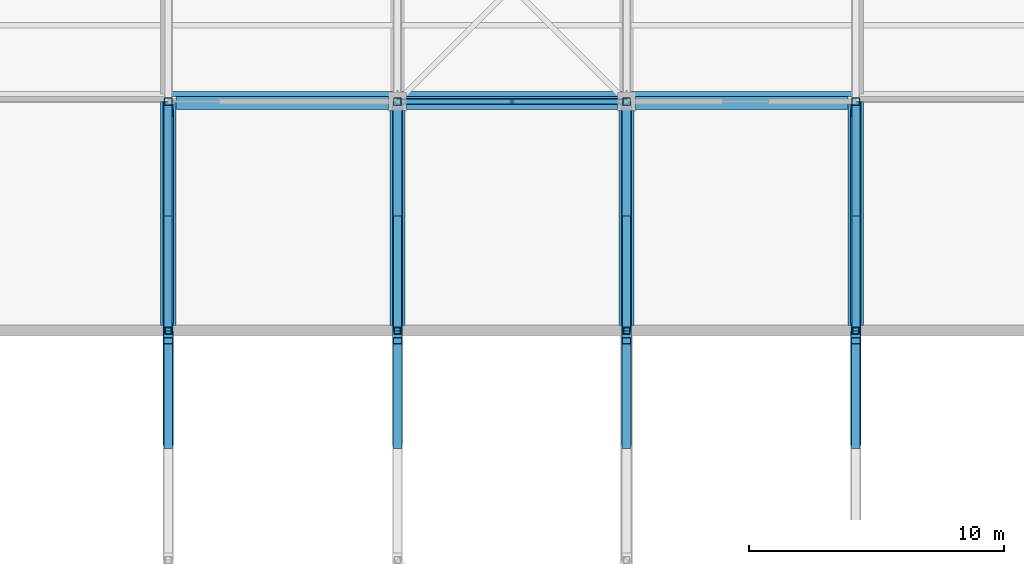
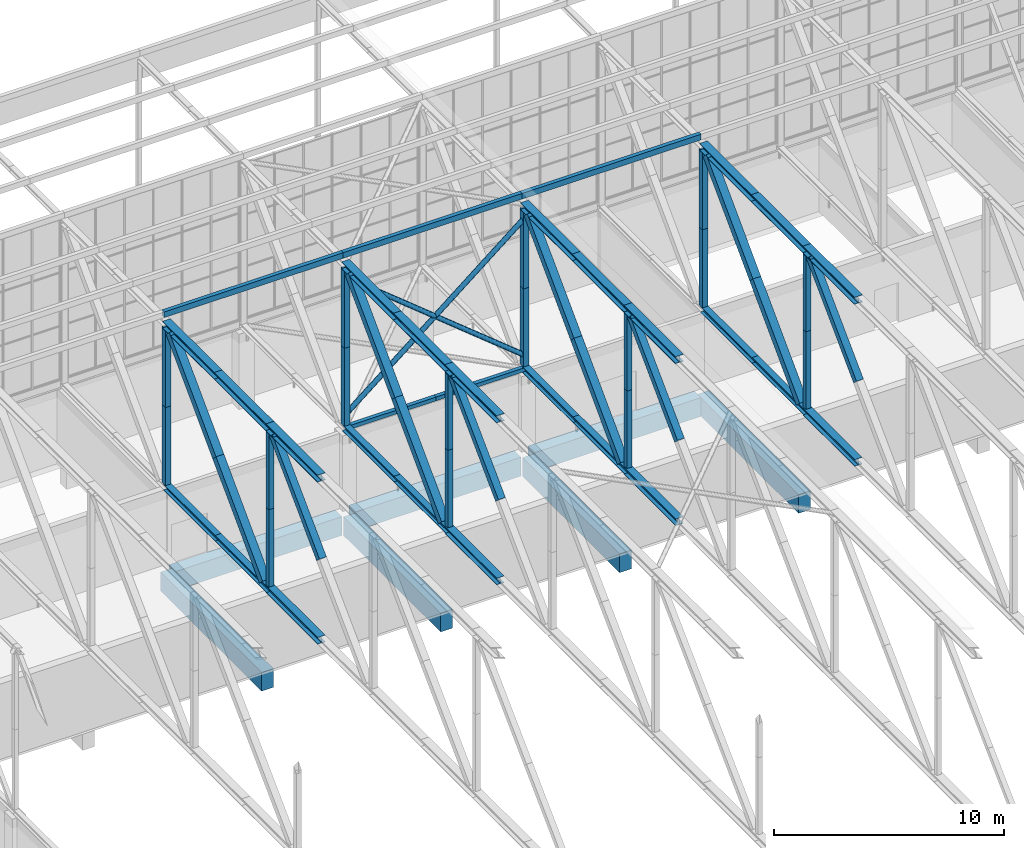
# One storey, part 77 of 646: 61 members, 7 beams.
"""IFC4 building model written with IfcOpenShell, lengths in metres."""

import ifcopenshell
import ifcopenshell.guid

model = None  # the IFC model being written
_history = None  # IfcOwnerHistory: only IFC2X3 demands one
_inside = {}  # id of a spatial element -> (the spatial element, [elements in it])
_under = {}  # id of a project, library or spatial element -> (it, [spatial elements below it])
_declared = {}  # id of a project -> (the project, [libraries it declares])
_typed = {}  # id of a type object -> (the type object, [elements of that type])
_made_of = {}  # id of a material, layer set ... -> (it, [elements and type objects made of it])


def new_model(schema):
    """Start an empty IFC model of exactly this schema.

    Asked for "IFC4X3", IfcOpenShell would pick the latest addendum, in which some entities
    have other attributes; the version numbers below select the first issue.
    IFC2X3 requires an IfcOwnerHistory on every rooted entity: one is made here for all.
    """
    global model, _history
    if schema == "IFC4X3":
        model = ifcopenshell.file(schema_version=(4, 3, 0, 0))
    else:
        model = ifcopenshell.file(schema=schema)
    _inside.clear()
    _under.clear()
    _declared.clear()
    _typed.clear()
    _made_of.clear()
    _history = None
    if model.schema == "IFC2X3":
        org = make("IfcOrganization", Name="unknown")
        user = make(
            "IfcPersonAndOrganization",
            ThePerson=make("IfcPerson", FamilyName="unknown"),
            TheOrganization=org,
        )
        app = make(
            "IfcApplication",
            ApplicationDeveloper=org,
            Version="unknown",
            ApplicationFullName="unknown",
            ApplicationIdentifier="unknown",
        )
        _history = make(
            "IfcOwnerHistory",
            OwningUser=user,
            OwningApplication=app,
            ChangeAction="ADDED",
            CreationDate=0,
        )
    return model


def make(cls, **values):
    """One entity of the class cls with the attributes given. An attribute that is None is left unset."""
    return model.create_entity(
        cls, **{name: value for name, value in values.items() if value is not None}
    )


def rooted(cls, **values):
    """An entity with a GlobalId (a new one), such as an element, a storey or a relation."""
    return make(cls, GlobalId=ifcopenshell.guid.new(), OwnerHistory=_history, **values)


def si_unit(unit_type, name, prefix=None):
    """IfcSIUnit, for example si_unit("LENGTHUNIT", "METRE", prefix="MILLI")."""
    return make("IfcSIUnit", UnitType=unit_type, Prefix=prefix, Name=name)


def assignment(units):
    """IfcUnitAssignment: the units of a project."""
    return None if units is None else make("IfcUnitAssignment", Units=units)


def point(xyz):
    """IfcCartesianPoint."""
    return None if xyz is None else make("IfcCartesianPoint", Coordinates=xyz)


def direction(xyz):
    """IfcDirection."""
    return None if xyz is None else make("IfcDirection", DirectionRatios=xyz)


def frame(location, z_axis=None, x_axis=None):
    """IfcAxis2Placement3D, a coordinate frame: its origin and axes. An axis left out is left unset."""
    return make(
        "IfcAxis2Placement3D",
        Location=point(location),
        Axis=direction(z_axis),
        RefDirection=direction(x_axis),
    )


def frame_2d(location, x_axis=None):
    """IfcAxis2Placement2D, a coordinate frame in the plane: its origin and x axis."""
    return make(
        "IfcAxis2Placement2D", Location=point(location), RefDirection=direction(x_axis)
    )


def origin():
    """The frame at (0, 0, 0) with its axes left unset."""
    return frame((0.0, 0.0, 0.0))


def origin_2d():
    """The frame at (0, 0) in the plane with its x axis left unset."""
    return frame_2d((0.0, 0.0))


def place(relative_to, where):
    """IfcLocalPlacement: puts the frame where relative to a parent placement (None: the world)."""
    return make(
        "IfcLocalPlacement", PlacementRelTo=relative_to, RelativePlacement=where
    )


def context(
    kind, dimensions, precision=None, world=None, true_north=None, identifier=None
):
    """IfcGeometricRepresentationContext, for example the 3D "Model" context."""
    return make(
        "IfcGeometricRepresentationContext",
        ContextIdentifier=identifier,
        ContextType=kind,
        CoordinateSpaceDimension=dimensions,
        Precision=precision,
        WorldCoordinateSystem=world,
        TrueNorth=true_north,
    )


def subcontext(parent, identifier, kind, view, scale=None):
    """IfcGeometricRepresentationSubContext, for example "Body" below "Model"."""
    return make(
        "IfcGeometricRepresentationSubContext",
        ContextIdentifier=identifier,
        ContextType=kind,
        ParentContext=parent,
        TargetScale=scale,
        TargetView=view,
    )


def project(units=None, contexts=None):
    """IfcProject with its units and contexts."""
    return rooted(
        "IfcProject",
        Name="project",
        RepresentationContexts=contexts,
        UnitsInContext=assignment(units),
    )


def spatial(cls, under=None, at=None, **own):
    """A site, building, storey or space (cls), placed at a placement, below another one or the project."""
    s = rooted(cls, ObjectPlacement=at, **own)
    if under is not None:
        _under.setdefault(under.id(), (under, []))[1].append(s)
    return s


def profile(cls, at=None, kind="AREA", **sizes):
    """A parametric profile (cls). Its sizes go by their IFC names, for example OverallWidth=200.0."""
    return make(cls, ProfileType=kind, Position=at, **sizes)


def rectangle(**sizes):
    """IfcRectangleProfileDef."""
    return profile("IfcRectangleProfileDef", **sizes)


def hollow_rectangle(**sizes):
    """IfcRectangleHollowProfileDef."""
    return profile("IfcRectangleHollowProfileDef", **sizes)


def hollow_circle(**sizes):
    """IfcCircleHollowProfileDef."""
    return profile("IfcCircleHollowProfileDef", **sizes)


def i_section(**sizes):
    """IfcIShapeProfileDef."""
    return profile("IfcIShapeProfileDef", **sizes)


def extrude(swept, where, along, depth):
    """IfcExtrudedAreaSolid: the profile swept, set in the frame where, extruded along a direction by depth."""
    return make(
        "IfcExtrudedAreaSolid",
        SweptArea=swept,
        Position=where,
        ExtrudedDirection=direction(along),
        Depth=depth,
    )


def shape(context_of_items, identifier, shape_type, items):
    """IfcShapeRepresentation: the items that make up one representation, for example the "Body"."""
    return make(
        "IfcShapeRepresentation",
        ContextOfItems=context_of_items,
        RepresentationIdentifier=identifier,
        RepresentationType=shape_type,
        Items=items,
    )


def material(Name=None, Category=None):
    """IfcMaterial."""
    return make("IfcMaterial", Name=Name, Category=Category)


def material_profile(
    of_material, cross_section, Name=None, Category=None, Priority=None
):
    """IfcMaterialProfile: a cross section and its material."""
    return make(
        "IfcMaterialProfile",
        Name=Name,
        Material=of_material,
        Profile=cross_section,
        Priority=Priority,
        Category=Category,
    )


def profile_set(profiles, Name=None, composite=None):
    """IfcMaterialProfileSet."""
    return make(
        "IfcMaterialProfileSet",
        Name=Name,
        MaterialProfiles=profiles,
        CompositeProfile=composite,
    )


def made_of(thing, what):
    """Note that an element or type object is made of a material, layer set ...; save() writes the relation."""
    if what is not None:
        _made_of.setdefault(what.id(), (what, []))[1].append(thing)
    return thing


def type_object(cls, material=None, **own):
    """A type object (cls), such as IfcWallType, which elements share."""
    return made_of(rooted(cls, **own), material)


def element(
    cls,
    number,
    at=None,
    inside=None,
    cuts=None,
    type_object=None,
    material=None,
    context=None,
    identifier="Body",
    shape_type=None,
    held_by="IfcProductDefinitionShape",
    body=None,
    shapes=None,
    **own,
):
    """One element of the class cls, such as IfcWall. Its Tag is "e" and its number.

    at: its placement. inside: the storey or other place that contains it. cuts: it is an
    opening in that element (IfcRelVoidsElement). A single representation is given by context,
    identifier, shape_type and body (its items); several are given by shapes. held_by: the class
    of the entity that holds the representations. save() writes the other relations.
    """
    e = rooted(cls, Tag="e%d" % number, ObjectPlacement=at, **own)
    if body is not None:
        shapes = [shape(context, identifier, shape_type, body)]
    if shapes is not None:
        e.Representation = make(held_by, Representations=shapes)
    if inside is not None:
        _inside.setdefault(inside.id(), (inside, []))[1].append(e)
    if cuts is not None:
        rooted(
            "IfcRelVoidsElement", RelatingBuildingElement=cuts, RelatedOpeningElement=e
        )
    if type_object is not None:
        _typed.setdefault(type_object.id(), (type_object, []))[1].append(e)
    return made_of(e, material)


def aggregate(whole, parts):
    """IfcRelAggregates: a whole, such as a stair, and the parts it consists of."""
    return rooted("IfcRelAggregates", RelatingObject=whole, RelatedObjects=parts)


def save(model, path):
    """Write the relations noted so far, then the file.

    IfcRelAggregates (storeys below a building ...), IfcRelContainedInSpatialStructure (elements
    in a storey), IfcRelDefinesByType, IfcRelAssociatesMaterial and IfcRelDeclares: one each for
    every whole, place, type object, material and project.
    """
    for whole, parts in _under.values():
        aggregate(whole, parts)
    for where, things in _inside.values():
        rooted(
            "IfcRelContainedInSpatialStructure",
            RelatedElements=things,
            RelatingStructure=where,
        )
    for kind, things in _typed.values():
        rooted("IfcRelDefinesByType", RelatedObjects=things, RelatingType=kind)
    for what, things in _made_of.values():
        rooted("IfcRelAssociatesMaterial", RelatedObjects=things, RelatingMaterial=what)
    for by, libraries in _declared.values():
        rooted("IfcRelDeclares", RelatingContext=by, RelatedDefinitions=libraries)
    model.write(path)


model = new_model("IFC4")

# Units and contexts
model_context = context("Model", 3, precision=1e-05, world=origin(), true_north=direction((0.0, 1.0)))
body_context = subcontext(model_context, "Body", "Model", "MODEL_VIEW")
ifc_project = project(units=[si_unit("LENGTHUNIT", "METRE"), si_unit("AREAUNIT", "SQUARE_METRE"), si_unit("VOLUMEUNIT", "CUBIC_METRE"), si_unit("PLANEANGLEUNIT", "RADIAN"), si_unit("MASSUNIT", "GRAM", prefix="KILO")], contexts=[model_context])

# Site, building, storey
site_placement = place(None, origin())
site = spatial("IfcSite", under=ifc_project, at=site_placement, CompositionType="ELEMENT")
building_placement = place(site_placement, origin())
building = spatial("IfcBuilding", under=site, at=building_placement, Name="Silverbay Arena", CompositionType="ELEMENT")
storey_placement = place(building_placement, frame((0.0, 0.0, 33.5)))
storey = spatial("IfcBuildingStorey", under=building, at=storey_placement, Name="L05", CompositionType="ELEMENT", Elevation=33.5)

# Members
ifc_material_1 = material(Name="Steel S355", Category="steel")
ifc_material_profile_1 = material_profile(ifc_material_1, hollow_rectangle(XDim=0.199951171875, YDim=0.199951171875, WallThickness=0.008056640625, at=origin_2d()), Name="SHS 200x200x8")
ifc_profile_set_1 = profile_set([ifc_material_profile_1], Name="Steel S355")
member_type_1 = type_object("IfcMemberType", Name="Bracing strut SHS 200x200x8", PredefinedType="STRUT", material=ifc_profile_set_1)
for number, where, z_axis, x_axis, name in (
    (1, (126.0, 135.0, 4.13330078125), (1.0, 0.0, 0.0), (0.0, 1.0, 0.0), "ROOF BRACING strut 15-16 line 15a"),
    (2, (130.5, 135.0, 4.13330078125), (1.0, 0.0, 0.0), (0.0, 1.0, 0.0), "ROOF BRACING strut 15-16 line 15b"),
):
    element("IfcMember", number, at=place(storey_placement, frame(where, z_axis=z_axis, x_axis=x_axis)), inside=storey, type_object=member_type_1, Name=name, PredefinedType="STRUT", context=body_context, shape_type="SweptSolid", body=[
        extrude(hollow_rectangle(XDim=0.199951171875, YDim=0.199951171875, WallThickness=0.008056640625, at=origin_2d()), origin(), (0.0, 0.0, 1.0), 4.5),
    ])
ifc_material_2 = material(Name="Steel S355", Category="steel")
ifc_material_profile_2 = material_profile(ifc_material_2, i_section(OverallWidth=0.311279296875, OverallDepth=0.3271484375, WebThickness=0.015869140625, FlangeThickness=0.02490234375, at=origin_2d()), Name="UC 305x305x158")
ifc_profile_set_2 = profile_set([ifc_material_profile_2], Name="Steel S355")
member_type_2 = type_object("IfcMemberType", Name="Main-span bottom chord UC 305x305x158", PredefinedType="CHORD", material=ifc_profile_set_2)
for number, where, z_axis, x_axis, name in (
    (3, (117.0, 126.0, 4.16357421875), (0.0, 1.0, 0.0), (-1.0, 0.0, 0.0), "ROOF TRUSS 14 bottom chord 14a"),
    (4, (117.0, 130.5, 4.16357421875), (0.0, 1.0, 0.0), (-1.0, 0.0, 0.0), "ROOF TRUSS 14 bottom chord 14b"),
    (5, (126.0, 126.0, 4.16357421875), (0.0, 1.0, 0.0), (-1.0, 0.0, 0.0), "ROOF TRUSS 15 bottom chord 14a"),
    (6, (126.0, 130.5, 4.16357421875), (0.0, 1.0, 0.0), (-1.0, 0.0, 0.0), "ROOF TRUSS 15 bottom chord 14b"),
    (7, (135.0, 126.0, 4.16357421875), (0.0, 1.0, 0.0), (-1.0, 0.0, 0.0), "ROOF TRUSS 16 bottom chord 14a"),
    (8, (135.0, 130.5, 4.16357421875), (0.0, 1.0, 0.0), (-1.0, 0.0, 0.0), "ROOF TRUSS 16 bottom chord 14b"),
    (9, (144.0, 126.0, 4.16357421875), (0.0, 1.0, 0.0), (-1.0, 0.0, 0.0), "ROOF TRUSS 17 bottom chord 14a"),
    (10, (144.0, 130.5, 4.16357421875), (0.0, 1.0, 0.0), (-1.0, 0.0, 0.0), "ROOF TRUSS 17 bottom chord 14b"),
):
    element("IfcMember", number, at=place(storey_placement, frame(where, z_axis=z_axis, x_axis=x_axis)), inside=storey, type_object=member_type_2, Name=name, PredefinedType="CHORD", context=body_context, shape_type="SweptSolid", body=[
        extrude(i_section(OverallWidth=0.311279296875, OverallDepth=0.3271484375, WebThickness=0.015869140625, FlangeThickness=0.02490234375, at=origin_2d()), origin(), (0.0, 0.0, 1.0), 4.5),
    ])
ifc_material_3 = material(Name="Steel S355", Category="steel")
ifc_material_profile_3 = material_profile(ifc_material_3, i_section(OverallWidth=0.37255859375, OverallDepth=0.3681640625, WebThickness=0.014404296875, FlangeThickness=0.023681640625, at=origin_2d()), Name="UC 356x368x177")
ifc_profile_set_3 = profile_set([ifc_material_profile_3], Name="Steel S355")
member_type_3 = type_object("IfcMemberType", Name="Main-span bottom chord UC 356x368x177", PredefinedType="CHORD", material=ifc_profile_set_3)
for number, where, z_axis, x_axis, name in (
    (11, (117.0, 121.5, 4.18408203125), (0.0, 1.0, 0.0), (-1.0, 0.0, 0.0), "ROOF TRUSS 14 bottom chord 13b"),
    (12, (126.0, 121.5, 4.18408203125), (0.0, 1.0, 0.0), (-1.0, 0.0, 0.0), "ROOF TRUSS 15 bottom chord 13b"),
    (13, (135.0, 121.5, 4.18408203125), (0.0, 1.0, 0.0), (-1.0, 0.0, 0.0), "ROOF TRUSS 16 bottom chord 13b"),
    (14, (144.0, 121.5, 4.18408203125), (0.0, 1.0, 0.0), (-1.0, 0.0, 0.0), "ROOF TRUSS 17 bottom chord 13b"),
):
    element("IfcMember", number, at=place(storey_placement, frame(where, z_axis=z_axis, x_axis=x_axis)), inside=storey, type_object=member_type_3, Name=name, PredefinedType="CHORD", context=body_context, shape_type="SweptSolid", body=[
        extrude(i_section(OverallWidth=0.37255859375, OverallDepth=0.3681640625, WebThickness=0.014404296875, FlangeThickness=0.023681640625, at=origin_2d()), origin(), (0.0, 0.0, 1.0), 4.5),
    ])
ifc_material_4 = material(Name="Steel S355", Category="steel")
ifc_material_profile_4 = material_profile(ifc_material_4, i_section(OverallWidth=0.394775390625, OverallDepth=0.381103515625, WebThickness=0.018310546875, FlangeThickness=0.0302734375, at=origin_2d()), Name="UC 356x406x235")
ifc_profile_set_4 = profile_set([ifc_material_profile_4], Name="Steel S355")
member_type_4 = type_object("IfcMemberType", Name="Main-span top chord UC 356x406x235", PredefinedType="CHORD", material=ifc_profile_set_4)
for number, where, z_axis, x_axis, name in (
    (15, (117.0, 126.0, 12.8095703125), (0.0, 1.0, 0.0), (-1.0, 0.0, 0.0), "ROOF TRUSS 14 top chord 14a"),
    (16, (117.0, 130.5, 12.8095703125), (0.0, 1.0, 0.0), (-1.0, 0.0, 0.0), "ROOF TRUSS 14 top chord 14b"),
    (17, (126.0, 126.0, 12.8095703125), (0.0, 1.0, 0.0), (-1.0, 0.0, 0.0), "ROOF TRUSS 15 top chord 14a"),
    (18, (126.0, 130.5, 12.8095703125), (0.0, 1.0, 0.0), (-1.0, 0.0, 0.0), "ROOF TRUSS 15 top chord 14b"),
    (19, (135.0, 126.0, 12.8095703125), (0.0, 1.0, 0.0), (-1.0, 0.0, 0.0), "ROOF TRUSS 16 top chord 14a"),
    (20, (135.0, 130.5, 12.8095703125), (0.0, 1.0, 0.0), (-1.0, 0.0, 0.0), "ROOF TRUSS 16 top chord 14b"),
    (21, (144.0, 126.0, 12.8095703125), (0.0, 1.0, 0.0), (-1.0, 0.0, 0.0), "ROOF TRUSS 17 top chord 14a"),
    (22, (144.0, 130.5, 12.8095703125), (0.0, 1.0, 0.0), (-1.0, 0.0, 0.0), "ROOF TRUSS 17 top chord 14b"),
):
    element("IfcMember", number, at=place(storey_placement, frame(where, z_axis=z_axis, x_axis=x_axis)), inside=storey, type_object=member_type_4, Name=name, PredefinedType="CHORD", context=body_context, shape_type="SweptSolid", body=[
        extrude(i_section(OverallWidth=0.394775390625, OverallDepth=0.381103515625, WebThickness=0.018310546875, FlangeThickness=0.0302734375, at=origin_2d()), origin(), (0.0, 0.0, 1.0), 4.5),
    ])
ifc_material_5 = material(Name="Steel S355", Category="steel")
ifc_material_profile_5 = material_profile(ifc_material_5, i_section(OverallWidth=0.39892578125, OverallDepth=0.3935546875, WebThickness=0.022705078125, FlangeThickness=0.03662109375, at=origin_2d()), Name="UC 356x406x287")
ifc_profile_set_5 = profile_set([ifc_material_profile_5], Name="Steel S355")
member_type_5 = type_object("IfcMemberType", Name="Main-span top chord UC 356x406x287", PredefinedType="CHORD", material=ifc_profile_set_5)
for number, where, z_axis, x_axis, name in (
    (23, (117.0, 121.5, 12.80322265625), (0.0, 1.0, 0.0), (-1.0, 0.0, 0.0), "ROOF TRUSS 14 top chord 13b"),
    (24, (126.0, 121.5, 12.80322265625), (0.0, 1.0, 0.0), (-1.0, 0.0, 0.0), "ROOF TRUSS 15 top chord 13b"),
    (25, (135.0, 121.5, 12.80322265625), (0.0, 1.0, 0.0), (-1.0, 0.0, 0.0), "ROOF TRUSS 16 top chord 13b"),
    (26, (144.0, 121.5, 12.80322265625), (0.0, 1.0, 0.0), (-1.0, 0.0, 0.0), "ROOF TRUSS 17 top chord 13b"),
):
    element("IfcMember", number, at=place(storey_placement, frame(where, z_axis=z_axis, x_axis=x_axis)), inside=storey, type_object=member_type_5, Name=name, PredefinedType="CHORD", context=body_context, shape_type="SweptSolid", body=[
        extrude(i_section(OverallWidth=0.39892578125, OverallDepth=0.3935546875, WebThickness=0.022705078125, FlangeThickness=0.03662109375, at=origin_2d()), origin(), (0.0, 0.0, 1.0), 4.5),
    ])
ifc_material_6 = material(Name="Steel S355", Category="steel")
ifc_material_profile_6 = material_profile(ifc_material_6, hollow_rectangle(XDim=0.35009765625, YDim=0.35009765625, WallThickness=0.01416015625, at=origin_2d()), Name="SHS 350x350x14.2")
ifc_profile_set_6 = profile_set([ifc_material_profile_6], Name="Steel S355")
member_type_6 = type_object("IfcMemberType", Name="Main-span truss diagonal SHS 350x350x14.2", PredefinedType="BRACE", material=ifc_profile_set_6)
for number, where, z_axis, x_axis, name in (
    (27, (117.0, 125.61083984375, 12.6064453125), (0.0, -0.706393232016, -0.707819611033), (1.0, 0.0, 0.0), "ROOF TRUSS 14 diagonal 13a"),
    (28, (126.0, 125.61083984375, 12.6064453125), (0.0, -0.706393232016, -0.707819611033), (1.0, 0.0, 0.0), "ROOF TRUSS 15 diagonal 13a"),
    (29, (135.0, 125.61083984375, 12.6064453125), (0.0, -0.706393232016, -0.707819611033), (1.0, 0.0, 0.0), "ROOF TRUSS 16 diagonal 13a"),
    (30, (144.0, 125.61083984375, 12.6064453125), (0.0, -0.706393232016, -0.707819611033), (1.0, 0.0, 0.0), "ROOF TRUSS 17 diagonal 13a"),
):
    element("IfcMember", number, at=place(storey_placement, frame(where, z_axis=z_axis, x_axis=x_axis)), inside=storey, type_object=member_type_6, Name=name, PredefinedType="BRACE", context=body_context, shape_type="SweptSolid", body=[
        extrude(hollow_rectangle(XDim=0.35009765625, YDim=0.35009765625, WallThickness=0.01416015625, at=origin_2d()), origin(), (0.0, 0.0, 1.0), 5.819580078125),
    ])
ifc_material_7 = material(Name="Steel S355", Category="steel")
ifc_material_profile_7 = material_profile(ifc_material_7, hollow_rectangle(XDim=0.39990234375, YDim=0.39990234375, WallThickness=0.01416015625, at=origin_2d()), Name="SHS 400x400x14.2")
ifc_profile_set_7 = profile_set([ifc_material_profile_7], Name="Steel S355")
member_type_7 = type_object("IfcMemberType", Name="Main-span truss diagonal SHS 400x400x14.2", PredefinedType="BRACE", material=ifc_profile_set_7)
member_1_placement = place(storey_placement, frame((117.0, 134.554931640625, 12.618896484375), z_axis=(0.0, -0.700113450325, -0.71403162162), x_axis=(1.0, 0.0, 0.0)))
element("IfcMember", 31, at=member_1_placement, inside=storey, type_object=member_type_7, Name="ROOF TRUSS 14 diagonal 14a", PredefinedType="BRACE", context=body_context, shape_type="SweptSolid", body=[
    extrude(hollow_rectangle(XDim=0.39990234375, YDim=0.39990234375, WallThickness=0.01416015625, at=origin_2d()), origin(), (0.0, 0.0, 1.0), 5.80615234375),
])
member_2_placement = place(storey_placement, frame((117.0, 130.489990234375, 8.47314453125), z_axis=(0.0, -0.700092430298, -0.714052231311), x_axis=(1.0, 0.0, 0.0)))
element("IfcMember", 32, at=member_2_placement, inside=storey, type_object=member_type_7, Name="ROOF TRUSS 14 diagonal 14b", PredefinedType="BRACE", context=body_context, shape_type="SweptSolid", body=[
    extrude(hollow_rectangle(XDim=0.39990234375, YDim=0.39990234375, WallThickness=0.01416015625, at=origin_2d()), origin(), (0.0, 0.0, 1.0), 5.806396484375),
])
member_3_placement = place(storey_placement, frame((126.0, 134.554931640625, 12.618896484375), z_axis=(0.0, -0.700113450325, -0.71403162162), x_axis=(1.0, 0.0, 0.0)))
element("IfcMember", 33, at=member_3_placement, inside=storey, type_object=member_type_7, Name="ROOF TRUSS 15 diagonal 14a", PredefinedType="BRACE", context=body_context, shape_type="SweptSolid", body=[
    extrude(hollow_rectangle(XDim=0.39990234375, YDim=0.39990234375, WallThickness=0.01416015625, at=origin_2d()), origin(), (0.0, 0.0, 1.0), 5.80615234375),
])
member_4_placement = place(storey_placement, frame((126.0, 130.489990234375, 8.47314453125), z_axis=(0.0, -0.700092430298, -0.714052231311), x_axis=(1.0, 0.0, 0.0)))
element("IfcMember", 34, at=member_4_placement, inside=storey, type_object=member_type_7, Name="ROOF TRUSS 15 diagonal 14b", PredefinedType="BRACE", context=body_context, shape_type="SweptSolid", body=[
    extrude(hollow_rectangle(XDim=0.39990234375, YDim=0.39990234375, WallThickness=0.01416015625, at=origin_2d()), origin(), (0.0, 0.0, 1.0), 5.806396484375),
])
member_5_placement = place(storey_placement, frame((135.0, 134.554931640625, 12.618896484375), z_axis=(0.0, -0.700113450325, -0.71403162162), x_axis=(1.0, 0.0, 0.0)))
element("IfcMember", 35, at=member_5_placement, inside=storey, type_object=member_type_7, Name="ROOF TRUSS 16 diagonal 14a", PredefinedType="BRACE", context=body_context, shape_type="SweptSolid", body=[
    extrude(hollow_rectangle(XDim=0.39990234375, YDim=0.39990234375, WallThickness=0.01416015625, at=origin_2d()), origin(), (0.0, 0.0, 1.0), 5.80615234375),
])
member_6_placement = place(storey_placement, frame((135.0, 130.489990234375, 8.47314453125), z_axis=(0.0, -0.700092430298, -0.714052231311), x_axis=(1.0, 0.0, 0.0)))
element("IfcMember", 36, at=member_6_placement, inside=storey, type_object=member_type_7, Name="ROOF TRUSS 16 diagonal 14b", PredefinedType="BRACE", context=body_context, shape_type="SweptSolid", body=[
    extrude(hollow_rectangle(XDim=0.39990234375, YDim=0.39990234375, WallThickness=0.01416015625, at=origin_2d()), origin(), (0.0, 0.0, 1.0), 5.806396484375),
])
member_7_placement = place(storey_placement, frame((144.0, 134.554931640625, 12.618896484375), z_axis=(0.0, -0.700113450325, -0.71403162162), x_axis=(1.0, 0.0, 0.0)))
element("IfcMember", 37, at=member_7_placement, inside=storey, type_object=member_type_7, Name="ROOF TRUSS 17 diagonal 14a", PredefinedType="BRACE", context=body_context, shape_type="SweptSolid", body=[
    extrude(hollow_rectangle(XDim=0.39990234375, YDim=0.39990234375, WallThickness=0.01416015625, at=origin_2d()), origin(), (0.0, 0.0, 1.0), 5.80615234375),
])
member_8_placement = place(storey_placement, frame((144.0, 130.489990234375, 8.47314453125), z_axis=(0.0, -0.700092430298, -0.714052231311), x_axis=(1.0, 0.0, 0.0)))
element("IfcMember", 38, at=member_8_placement, inside=storey, type_object=member_type_7, Name="ROOF TRUSS 17 diagonal 14b", PredefinedType="BRACE", context=body_context, shape_type="SweptSolid", body=[
    extrude(hollow_rectangle(XDim=0.39990234375, YDim=0.39990234375, WallThickness=0.01416015625, at=origin_2d()), origin(), (0.0, 0.0, 1.0), 5.806396484375),
])
ifc_material_8 = material(Name="Steel S355", Category="steel")
ifc_material_profile_8 = material_profile(ifc_material_8, hollow_rectangle(XDim=0.260009765625, YDim=0.260009765625, WallThickness=0.012451171875, at=origin_2d()), Name="SHS 260x260x12.5")
ifc_profile_set_8 = profile_set([ifc_material_profile_8], Name="Steel S355")
member_type_8 = type_object("IfcMemberType", Name="Main-span truss vertical SHS 260x260x12.5", PredefinedType="STRUT", material=ifc_profile_set_8)
for number, where, z_axis, x_axis, name in (
    (39, (117.0, 126.0, 4.3681640625), (0.0, 0.0, 1.0), (1.0, 0.0, 0.0), "ROOF TRUSS 14 vertical 14a"),
    (40, (117.0, 126.0, 8.4873046875), (0.0, 0.0, 1.0), (1.0, 0.0, 0.0), "ROOF TRUSS 14 vertical 14b"),
    (41, (126.0, 126.0, 4.3681640625), (0.0, 0.0, 1.0), (1.0, 0.0, 0.0), "ROOF TRUSS 15 vertical 14a"),
    (42, (126.0, 126.0, 8.4873046875), (0.0, 0.0, 1.0), (1.0, 0.0, 0.0), "ROOF TRUSS 15 vertical 14b"),
    (43, (135.0, 126.0, 4.3681640625), (0.0, 0.0, 1.0), (1.0, 0.0, 0.0), "ROOF TRUSS 16 vertical 14a"),
    (44, (135.0, 126.0, 8.4873046875), (0.0, 0.0, 1.0), (1.0, 0.0, 0.0), "ROOF TRUSS 16 vertical 14b"),
    (45, (144.0, 126.0, 4.3681640625), (0.0, 0.0, 1.0), (1.0, 0.0, 0.0), "ROOF TRUSS 17 vertical 14a"),
    (46, (144.0, 126.0, 8.4873046875), (0.0, 0.0, 1.0), (1.0, 0.0, 0.0), "ROOF TRUSS 17 vertical 14b"),
):
    element("IfcMember", number, at=place(storey_placement, frame(where, z_axis=z_axis, x_axis=x_axis)), inside=storey, type_object=member_type_8, Name=name, PredefinedType="STRUT", context=body_context, shape_type="SweptSolid", body=[
        extrude(hollow_rectangle(XDim=0.260009765625, YDim=0.260009765625, WallThickness=0.012451171875, at=origin_2d()), origin(), (0.0, 0.0, 1.0), 4.119140625),
    ])
ifc_material_9 = material(Name="Steel S355", Category="steel")
ifc_material_profile_9 = material_profile(ifc_material_9, hollow_rectangle(XDim=0.300048828125, YDim=0.300048828125, WallThickness=0.012451171875, at=origin_2d()), Name="SHS 300x300x12.5")
ifc_profile_set_9 = profile_set([ifc_material_profile_9], Name="Steel S355")
member_type_9 = type_object("IfcMemberType", Name="Main-span truss vertical SHS 300x300x12.5", PredefinedType="STRUT", material=ifc_profile_set_9)
member_9_placement = place(storey_placement, frame((117.0, 135.0, 4.3271484375), z_axis=(0.0, 0.0, 1.0), x_axis=(1.0, 0.0, 0.0)))
element("IfcMember", 47, at=member_9_placement, inside=storey, type_object=member_type_9, Name="ROOF TRUSS 14 vertical 15a", PredefinedType="STRUT", context=body_context, shape_type="SweptSolid", body=[
    extrude(hollow_rectangle(XDim=0.300048828125, YDim=0.300048828125, WallThickness=0.012451171875, at=origin_2d()), origin(), (0.0, 0.0, 1.0), 4.14599609375),
])
member_10_placement = place(storey_placement, frame((117.0, 135.0, 8.47314453125), z_axis=(0.0, 0.0, 1.0), x_axis=(1.0, 0.0, 0.0)))
element("IfcMember", 48, at=member_10_placement, inside=storey, type_object=member_type_9, Name="ROOF TRUSS 14 vertical 15b", PredefinedType="STRUT", context=body_context, shape_type="SweptSolid", body=[
    extrude(hollow_rectangle(XDim=0.300048828125, YDim=0.300048828125, WallThickness=0.012451171875, at=origin_2d()), origin(), (0.0, 0.0, 1.0), 4.145751953125),
])
member_11_placement = place(storey_placement, frame((126.0, 135.0, 4.3271484375), z_axis=(0.0, 0.0, 1.0), x_axis=(1.0, 0.0, 0.0)))
element("IfcMember", 49, at=member_11_placement, inside=storey, type_object=member_type_9, Name="ROOF TRUSS 15 vertical 15a", PredefinedType="STRUT", context=body_context, shape_type="SweptSolid", body=[
    extrude(hollow_rectangle(XDim=0.300048828125, YDim=0.300048828125, WallThickness=0.012451171875, at=origin_2d()), origin(), (0.0, 0.0, 1.0), 4.14599609375),
])
member_12_placement = place(storey_placement, frame((126.0, 135.0, 8.47314453125), z_axis=(0.0, 0.0, 1.0), x_axis=(1.0, 0.0, 0.0)))
element("IfcMember", 50, at=member_12_placement, inside=storey, type_object=member_type_9, Name="ROOF TRUSS 15 vertical 15b", PredefinedType="STRUT", context=body_context, shape_type="SweptSolid", body=[
    extrude(hollow_rectangle(XDim=0.300048828125, YDim=0.300048828125, WallThickness=0.012451171875, at=origin_2d()), origin(), (0.0, 0.0, 1.0), 4.145751953125),
])
member_13_placement = place(storey_placement, frame((135.0, 135.0, 4.3271484375), z_axis=(0.0, 0.0, 1.0), x_axis=(1.0, 0.0, 0.0)))
element("IfcMember", 51, at=member_13_placement, inside=storey, type_object=member_type_9, Name="ROOF TRUSS 16 vertical 15a", PredefinedType="STRUT", context=body_context, shape_type="SweptSolid", body=[
    extrude(hollow_rectangle(XDim=0.300048828125, YDim=0.300048828125, WallThickness=0.012451171875, at=origin_2d()), origin(), (0.0, 0.0, 1.0), 4.14599609375),
])
member_14_placement = place(storey_placement, frame((135.0, 135.0, 8.47314453125), z_axis=(0.0, 0.0, 1.0), x_axis=(1.0, 0.0, 0.0)))
element("IfcMember", 52, at=member_14_placement, inside=storey, type_object=member_type_9, Name="ROOF TRUSS 16 vertical 15b", PredefinedType="STRUT", context=body_context, shape_type="SweptSolid", body=[
    extrude(hollow_rectangle(XDim=0.300048828125, YDim=0.300048828125, WallThickness=0.012451171875, at=origin_2d()), origin(), (0.0, 0.0, 1.0), 4.145751953125),
])
member_15_placement = place(storey_placement, frame((144.0, 135.0, 4.3271484375), z_axis=(0.0, 0.0, 1.0), x_axis=(1.0, 0.0, 0.0)))
element("IfcMember", 53, at=member_15_placement, inside=storey, type_object=member_type_9, Name="ROOF TRUSS 17 vertical 15a", PredefinedType="STRUT", context=body_context, shape_type="SweptSolid", body=[
    extrude(hollow_rectangle(XDim=0.300048828125, YDim=0.300048828125, WallThickness=0.012451171875, at=origin_2d()), origin(), (0.0, 0.0, 1.0), 4.14599609375),
])
member_16_placement = place(storey_placement, frame((144.0, 135.0, 8.47314453125), z_axis=(0.0, 0.0, 1.0), x_axis=(1.0, 0.0, 0.0)))
element("IfcMember", 54, at=member_16_placement, inside=storey, type_object=member_type_9, Name="ROOF TRUSS 17 vertical 15b", PredefinedType="STRUT", context=body_context, shape_type="SweptSolid", body=[
    extrude(hollow_rectangle(XDim=0.300048828125, YDim=0.300048828125, WallThickness=0.012451171875, at=origin_2d()), origin(), (0.0, 0.0, 1.0), 4.145751953125),
])
ifc_material_10 = material(Name="Steel S355", Category="steel")
ifc_material_profile_10 = material_profile(ifc_material_10, hollow_rectangle(XDim=0.199951171875, YDim=0.300048828125, WallThickness=0.00634765625, at=origin_2d()), Name="RHS 300x200x6.3")
ifc_profile_set_10 = profile_set([ifc_material_profile_10], Name="Steel S355")
member_type_10 = type_object("IfcMemberType", Name="Purlin RHS 300x200x6.3", PredefinedType="PURLIN", material=ifc_profile_set_10)
for number, where, z_axis, x_axis, name in (
    (55, (117.0, 135.300048828125, 13.14990234375), (1.0, 0.0, 0.0), (0.0, 1.0, 0.0), "ROOF PURLIN crown rim north 14-15"),
    (56, (126.0, 135.300048828125, 13.14990234375), (1.0, 0.0, 0.0), (0.0, 1.0, 0.0), "ROOF PURLIN crown rim north 15-16"),
    (57, (135.0, 135.300048828125, 13.14990234375), (1.0, 0.0, 0.0), (0.0, 1.0, 0.0), "ROOF PURLIN crown rim north 16-17"),
):
    element("IfcMember", number, at=place(storey_placement, frame(where, z_axis=z_axis, x_axis=x_axis)), inside=storey, type_object=member_type_10, Name=name, PredefinedType="PURLIN", context=body_context, shape_type="SweptSolid", body=[
        extrude(hollow_rectangle(XDim=0.199951171875, YDim=0.300048828125, WallThickness=0.00634765625, at=origin_2d()), origin(), (0.0, 0.0, 1.0), 9.0),
    ])

# Beams
ifc_material_11 = material(Name="Concrete Grade C45", Category="concrete")
ifc_material_profile_11 = material_profile(ifc_material_11, rectangle(XDim=0.60009765625, YDim=1.0, at=origin_2d()), Name="RC 600x1000")
ifc_profile_set_11 = profile_set([ifc_material_profile_11], Name="Concrete Grade C45")
beam_type = type_object("IfcBeamType", Name="RC beam 600x1000", PredefinedType="BEAM", material=ifc_profile_set_11)
beam_1_placement = place(storey_placement, frame((117.300048828125, 135.0, -0.800048828125), z_axis=(1.0, 0.0, 0.0), x_axis=(0.0, 1.0, 0.0)))
element("IfcBeam", 58, at=beam_1_placement, inside=storey, type_object=beam_type, Name="Floor beam L05 062", PredefinedType="BEAM", context=body_context, shape_type="SweptSolid", body=[
    extrude(rectangle(XDim=0.60009765625, YDim=1.0, at=origin_2d()), origin(), (0.0, 0.0, 1.0), 8.349853515625),
])
beam_2_placement = place(storey_placement, frame((126.35009765625, 135.0, -0.800048828125), z_axis=(1.0, 0.0, 0.0), x_axis=(0.0, 1.0, 0.0)))
element("IfcBeam", 59, at=beam_2_placement, inside=storey, type_object=beam_type, Name="Floor beam L05 063", PredefinedType="BEAM", context=body_context, shape_type="SweptSolid", body=[
    extrude(rectangle(XDim=0.60009765625, YDim=1.0, at=origin_2d()), origin(), (0.0, 0.0, 1.0), 8.2998046875),
])
beam_3_placement = place(storey_placement, frame((135.35009765625, 135.0, -0.800048828125), z_axis=(1.0, 0.0, 0.0), x_axis=(0.0, 1.0, 0.0)))
element("IfcBeam", 60, at=beam_3_placement, inside=storey, type_object=beam_type, Name="Floor beam L05 064", PredefinedType="BEAM", context=body_context, shape_type="SweptSolid", body=[
    extrude(rectangle(XDim=0.60009765625, YDim=1.0, at=origin_2d()), origin(), (0.0, 0.0, 1.0), 8.349853515625),
])
beam_4_placement = place(storey_placement, frame((117.0, 126.199951171875, -0.800048828125), z_axis=(0.0, 1.0, 0.0), x_axis=(-1.0, 0.0, 0.0)))
element("IfcBeam", 61, at=beam_4_placement, inside=storey, type_object=beam_type, Name="Floor beam L05 108", PredefinedType="BEAM", context=body_context, shape_type="SweptSolid", body=[
    extrude(rectangle(XDim=0.60009765625, YDim=1.0, at=origin_2d()), origin(), (0.0, 0.0, 1.0), 8.800048828125),
])
for number, where, z_axis, x_axis, name in (
    (62, (126.0, 126.199951171875, -0.800048828125), (0.0, 1.0, 0.0), (-1.0, 0.0, 0.0), "Floor beam L05 111"),
    (63, (135.0, 126.199951171875, -0.800048828125), (0.0, 1.0, 0.0), (-1.0, 0.0, 0.0), "Floor beam L05 115"),
):
    element("IfcBeam", number, at=place(storey_placement, frame(where, z_axis=z_axis, x_axis=x_axis)), inside=storey, type_object=beam_type, Name=name, PredefinedType="BEAM", context=body_context, shape_type="SweptSolid", body=[
        extrude(rectangle(XDim=0.60009765625, YDim=1.0, at=origin_2d()), origin(), (0.0, 0.0, 1.0), 8.449951171875),
    ])
beam_5_placement = place(storey_placement, frame((144.0, 126.199951171875, -0.800048828125), z_axis=(0.0, 1.0, 0.0), x_axis=(-1.0, 0.0, 0.0)))
element("IfcBeam", 64, at=beam_5_placement, inside=storey, type_object=beam_type, Name="Floor beam L05 118", PredefinedType="BEAM", context=body_context, shape_type="SweptSolid", body=[
    extrude(rectangle(XDim=0.60009765625, YDim=1.0, at=origin_2d()), origin(), (0.0, 0.0, 1.0), 8.800048828125),
])

# Members
ifc_material_12 = material(Name="Steel S355", Category="steel")
ifc_material_profile_12 = material_profile(ifc_material_12, hollow_circle(Radius=0.122314453125, WallThickness=0.00634765625, at=origin_2d()), Name="CHS 244.5x6.3")
ifc_profile_set_12 = profile_set([ifc_material_profile_12], Name="Steel S355")
member_type_11 = type_object("IfcMemberType", Name="Vertical bracing CHS 244.5x6.3", PredefinedType="BRACE", material=ifc_profile_set_12)
member_17_placement = place(storey_placement, frame((126.0, 135.0, 4.8271484375), z_axis=(0.7769797522, 0.0, 0.629525586987), x_axis=(0.0, 1.0, 0.0)))
element("IfcMember", 65, at=member_17_placement, inside=storey, type_object=member_type_11, Name="ROOF BRACING vertical 15-16 line 15 Aa", PredefinedType="BRACE", context=body_context, shape_type="SweptSolid", body=[
    extrude(hollow_circle(Radius=0.122314453125, WallThickness=0.00634765625, at=origin_2d()), origin(), (0.0, 0.0, 1.0), 5.791748046875),
])
for number, where, z_axis, x_axis, name in (
    (66, (130.5, 135.0, 8.47314453125), (0.777000370985, 0.0, 0.629500137799), (0.0, 1.0, 0.0), "ROOF BRACING vertical 15-16 line 15 Ab"),
    (67, (126.0, 135.0, 12.118896484375), (0.777000370985, 0.0, -0.629500137799), (0.0, 1.0, 0.0), "ROOF BRACING vertical 15-16 line 15 Ba"),
):
    element("IfcMember", number, at=place(storey_placement, frame(where, z_axis=z_axis, x_axis=x_axis)), inside=storey, type_object=member_type_11, Name=name, PredefinedType="BRACE", context=body_context, shape_type="SweptSolid", body=[
        extrude(hollow_circle(Radius=0.122314453125, WallThickness=0.00634765625, at=origin_2d()), origin(), (0.0, 0.0, 1.0), 5.79150390625),
    ])
member_18_placement = place(storey_placement, frame((130.5, 135.0, 8.47314453125), z_axis=(0.7769797522, 0.0, -0.629525586987), x_axis=(0.0, 1.0, 0.0)))
element("IfcMember", 68, at=member_18_placement, inside=storey, type_object=member_type_11, Name="ROOF BRACING vertical 15-16 line 15 Bb", PredefinedType="BRACE", context=body_context, shape_type="SweptSolid", body=[
    extrude(hollow_circle(Radius=0.122314453125, WallThickness=0.00634765625, at=origin_2d()), origin(), (0.0, 0.0, 1.0), 5.791748046875),
])

save(model, "model.ifc")
